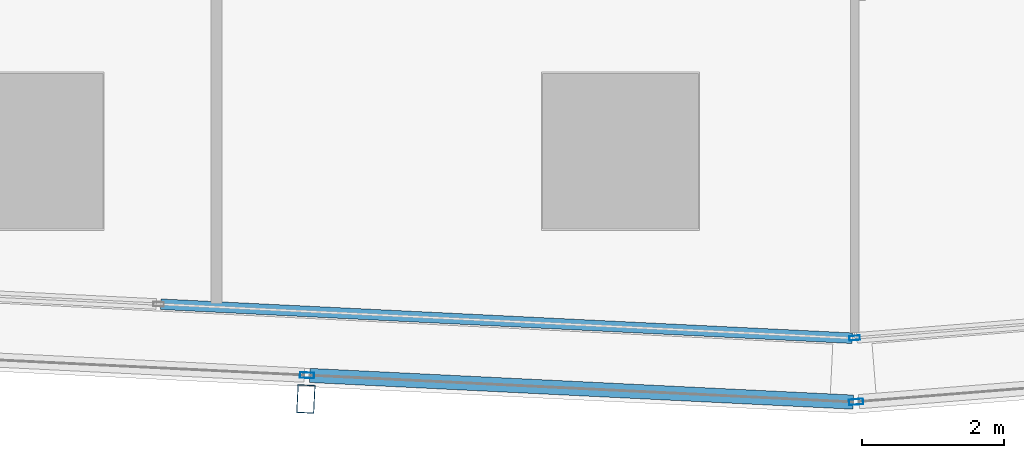
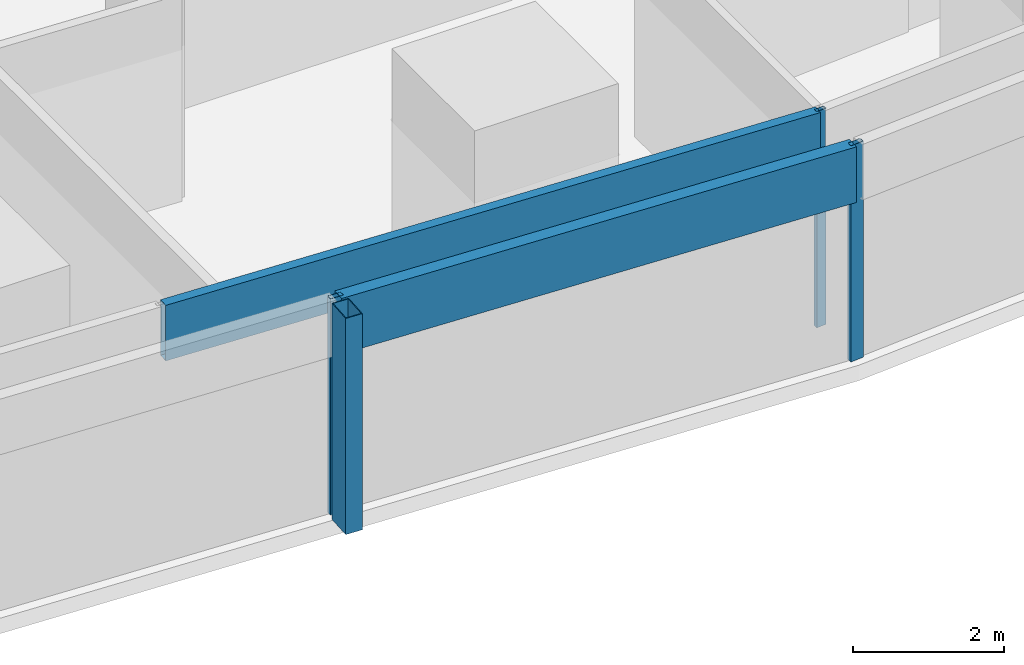
# One storey, part 9 of 44: 6 members, 4 elements without a shape of their own.
"""IFC4 building model written with IfcOpenShell, lengths in metres."""

from ifc_helpers import new_model, si_unit, direction, frame, origin, origin_2d, place, context, subcontext, project, spatial, hollow_rectangle, extrude, material, material_profile, profile_set, type_object, element, aggregate, save


model = new_model("IFC4")

# Units and contexts
model_context = context("Model", 3, precision=1e-05, world=origin(), true_north=direction((0.0, 1.0)))
body_context = subcontext(model_context, "Body", "Model", "MODEL_VIEW")
ifc_project = project(units=[si_unit("LENGTHUNIT", "METRE"), si_unit("AREAUNIT", "SQUARE_METRE"), si_unit("VOLUMEUNIT", "CUBIC_METRE"), si_unit("PLANEANGLEUNIT", "RADIAN"), si_unit("MASSUNIT", "GRAM", prefix="KILO")], contexts=[model_context])

# Site, building, storey
site_placement = place(None, origin())
site = spatial("IfcSite", under=ifc_project, at=site_placement, CompositionType="ELEMENT")
building_placement = place(site_placement, origin())
building = spatial("IfcBuilding", under=site, at=building_placement, Name="Rekha Terrace Tower", CompositionType="ELEMENT")
storey_placement = place(building_placement, frame((0.0, 0.0, 47.89990234375)))
storey = spatial("IfcBuildingStorey", under=building, at=storey_placement, Name="L11", CompositionType="ELEMENT", Elevation=47.89990234375)

# Curtain wall, member
ifc_material_1 = material(Name="Aluminium framing", Category="aluminium")
curtain_wall_type_1 = type_object("IfcCurtainWallType", Name="CW2 double skin outer glazing", PredefinedType="USERDEFINED", material=ifc_material_1)
curtain_wall_1_placement = place(storey_placement, origin())
curtain_wall_1 = element("IfcCurtainWall", 1, at=curtain_wall_1_placement, inside=storey, type_object=curtain_wall_type_1, Name="CW2 double skin outer glazing", ObjectType="DOUBLE SKIN OUTER GLAZING", PredefinedType="USERDEFINED")
ifc_material_2 = material(Name="Steel S355 with fluorocarbon finish", Category="steel")
ifc_material_profile_1 = material_profile(ifc_material_2, hollow_rectangle(XDim=0.25, YDim=0.39990234375, WallThickness=0.012451171875, at=origin_2d()), Name="RHS400x250x12.5")
ifc_profile_set_1 = profile_set([ifc_material_profile_1], Name="Steel S355 with fluorocarbon finish")
member_type_1 = type_object("IfcMemberType", Name="BL1 facade blade RHS 400 x 250", PredefinedType="USERDEFINED", material=ifc_profile_set_1)
member_1_placement = place(storey_placement, frame((37.562744140625, 4.904296875, 0.0), z_axis=(0.0, 0.0, 1.0), x_axis=(0.998796226835, -0.049051985279, 0.0)))
member_1 = element("IfcMember", 2, at=member_1_placement, type_object=member_type_1, Name="Facade blade", ObjectType="FACADE BLADE", PredefinedType="USERDEFINED", context=body_context, shape_type="SweptSolid", body=[
    extrude(hollow_rectangle(XDim=0.25, YDim=0.39990234375, WallThickness=0.012451171875, at=origin_2d()), origin(), (0.0, 0.0, 1.0), 3.5),
])

curtain_wall_type_2 = type_object("IfcCurtainWallType", Name="CW1 double skin inner glazing", PredefinedType="USERDEFINED", material=ifc_material_1)
curtain_wall_2_placement = place(storey_placement, origin())
curtain_wall_2 = element("IfcCurtainWall", 3, at=curtain_wall_2_placement, inside=storey, type_object=curtain_wall_type_2, Name="CW1 double skin inner glazing", ObjectType="DOUBLE SKIN INNER GLAZING", PredefinedType="USERDEFINED")
ifc_material_3 = material(Name="Aluminium mullion section", Category="aluminium")
ifc_material_profile_2 = material_profile(ifc_material_3, hollow_rectangle(XDim=0.06494140625, YDim=0.14990234375, WallThickness=0.00390625, at=origin_2d()), Name="AL RHS 65x150")
ifc_profile_set_2 = profile_set([ifc_material_profile_2], Name="Aluminium mullion section")
member_type_2 = type_object("IfcMemberType", Name="CW1 mullion RHS 65 x 150", PredefinedType="MULLION", material=ifc_profile_set_2)
member_2_placement = place(storey_placement, frame((45.303955078125, 5.7646484375, 0.0), z_axis=(0.0, 0.0, 1.0), x_axis=(-0.079872204468, 0.996805111821, 0.0)))
member_2 = element("IfcMember", 4, at=member_2_placement, type_object=member_type_2, Name="CW1 mullion 1", PredefinedType="MULLION", context=body_context, shape_type="SweptSolid", body=[
    extrude(hollow_rectangle(XDim=0.06494140625, YDim=0.14990234375, WallThickness=0.00390625, at=origin_2d()), origin(), (0.0, 0.0, 1.0), 3.5),
])
aggregate(curtain_wall_2, [member_2])

curtain_wall_3_placement = place(storey_placement, origin())
curtain_wall_3 = element("IfcCurtainWall", 5, at=curtain_wall_3_placement, inside=storey, type_object=curtain_wall_type_2, Name="CW1 double skin inner glazing", ObjectType="DOUBLE SKIN INNER GLAZING", PredefinedType="USERDEFINED")
ifc_material_4 = material(Name="Insulated aluminium spandrel box", Category="aluminium")
ifc_material_profile_3 = material_profile(ifc_material_4, hollow_rectangle(XDim=0.14990234375, YDim=0.89990234375, WallThickness=0.0029296875, at=origin_2d()), Name="AL SPANDREL BOX 150x900")
ifc_profile_set_3 = profile_set([ifc_material_profile_3], Name="Insulated aluminium spandrel box")
member_type_3 = type_object("IfcMemberType", Name="CW1 spandrel transom 150 x 900", PredefinedType="USERDEFINED", material=ifc_profile_set_3)
member_3_placement = place(storey_placement, frame((35.516357421875, 6.2412109375, 3.050048828125), z_axis=(0.998795409084, -0.049068633482, 0.0), x_axis=(0.049068633482, 0.998795409084, 0.0)))
member_3 = element("IfcMember", 6, at=member_3_placement, type_object=member_type_3, Name="CW1 spandrel transom 3", ObjectType="TRANSOM", PredefinedType="USERDEFINED", context=body_context, shape_type="SweptSolid", body=[
    extrude(hollow_rectangle(XDim=0.14990234375, YDim=0.89990234375, WallThickness=0.0029296875, at=origin_2d()), origin(), (0.0, 0.0, 1.0), 9.766845703125),
])
aggregate(curtain_wall_3, [member_3])

# Member
ifc_material_profile_4 = material_profile(ifc_material_3, hollow_rectangle(XDim=0.080078125, YDim=0.199951171875, WallThickness=0.00390625, at=origin_2d()), Name="AL RHS 80x200")
ifc_profile_set_4 = profile_set([ifc_material_profile_4], Name="Aluminium mullion section")
member_type_4 = type_object("IfcMemberType", Name="CW2 mullion RHS 80 x 200", PredefinedType="MULLION", material=ifc_profile_set_4)
member_4_placement = place(storey_placement, frame((37.5791015625, 5.23876953125, 0.0), z_axis=(0.0, 0.0, 1.0), x_axis=(0.049051717746, 0.998796239974, 0.0)))
member_4 = element("IfcMember", 7, at=member_4_placement, type_object=member_type_4, Name="CW2 mullion 5", PredefinedType="MULLION", context=body_context, shape_type="SweptSolid", body=[
    extrude(hollow_rectangle(XDim=0.080078125, YDim=0.199951171875, WallThickness=0.00390625, at=origin_2d()), origin(), (0.0, 0.0, 1.0), 3.5),
])

# Curtain wall, member
curtain_wall_4_placement = place(storey_placement, origin())
curtain_wall_4 = element("IfcCurtainWall", 8, at=curtain_wall_4_placement, inside=storey, type_object=curtain_wall_type_1, Name="CW2 double skin outer glazing", ObjectType="DOUBLE SKIN OUTER GLAZING", PredefinedType="USERDEFINED")
member_5_placement = place(storey_placement, frame((45.325439453125, 4.863525390625, 0.0), z_axis=(0.0, 0.0, 1.0), x_axis=(-0.079872204468, 0.996805111821, 0.0)))
member_5 = element("IfcMember", 9, at=member_5_placement, type_object=member_type_4, Name="CW2 mullion 1", PredefinedType="MULLION", context=body_context, shape_type="SweptSolid", body=[
    extrude(hollow_rectangle(XDim=0.080078125, YDim=0.199951171875, WallThickness=0.00390625, at=origin_2d()), origin(), (0.0, 0.0, 1.0), 3.5),
])
aggregate(curtain_wall_4, [member_5])

# Member
ifc_material_profile_5 = material_profile(ifc_material_4, hollow_rectangle(XDim=0.199951171875, YDim=0.89990234375, WallThickness=0.0029296875, at=origin_2d()), Name="AL SPANDREL BOX 200x900")
ifc_profile_set_5 = profile_set([ifc_material_profile_5], Name="Insulated aluminium spandrel box")
member_type_5 = type_object("IfcMemberType", Name="CW2 spandrel transom 200 x 900", PredefinedType="USERDEFINED", material=ifc_profile_set_5)
member_6_placement = place(storey_placement, frame((37.619140625, 5.23681640625, 3.050048828125), z_axis=(0.998796518042, -0.049046055373, 0.0), x_axis=(0.049046055373, 0.998796518042, 0.0)))
member_6 = element("IfcMember", 10, at=member_6_placement, type_object=member_type_5, Name="CW2 spandrel transom 5", ObjectType="TRANSOM", PredefinedType="USERDEFINED", context=body_context, shape_type="SweptSolid", body=[
    extrude(hollow_rectangle(XDim=0.199951171875, YDim=0.89990234375, WallThickness=0.0029296875, at=origin_2d()), origin(), (0.0, 0.0, 1.0), 7.67578125),
])

aggregate(curtain_wall_1, [member_4, member_6, member_1])

save(model, "model.ifc")
